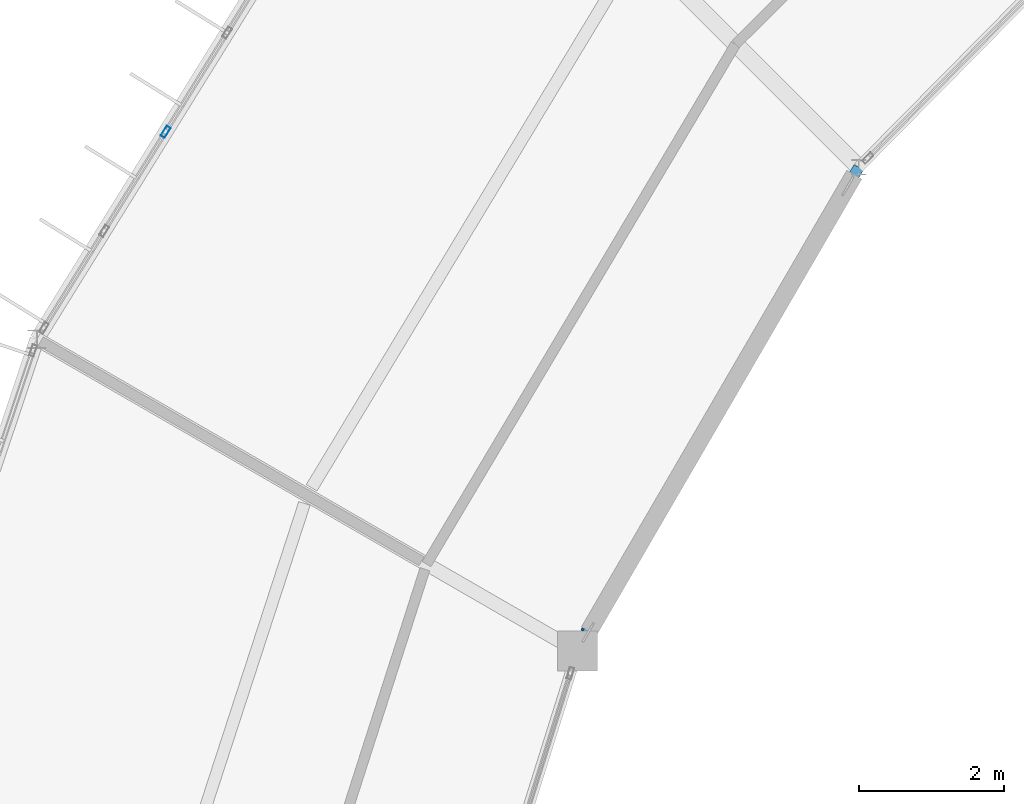
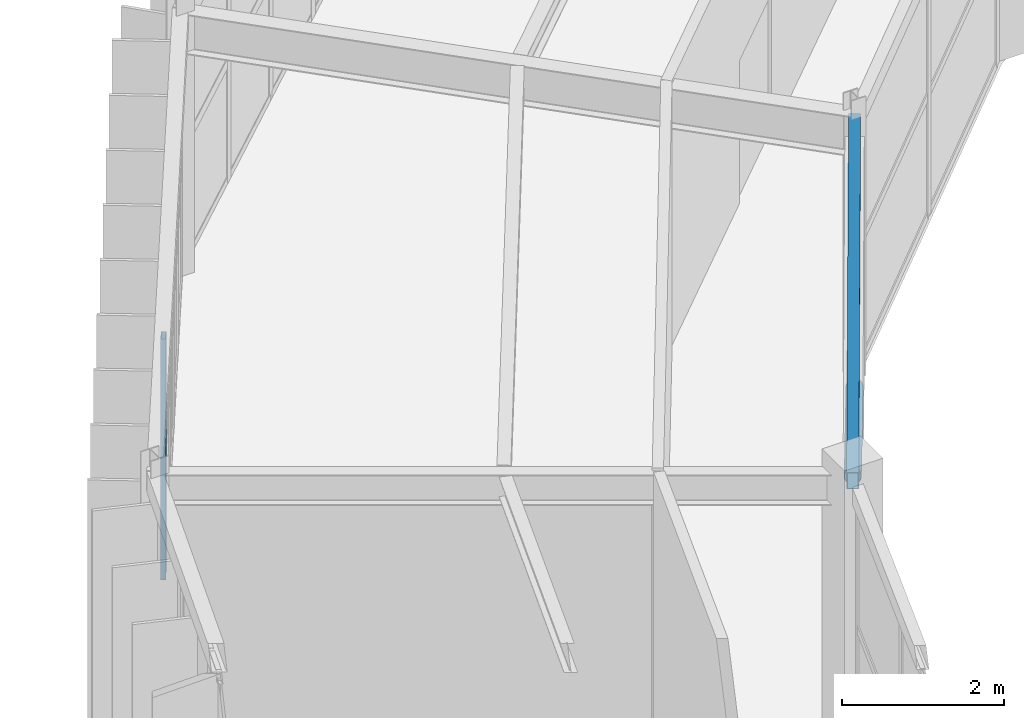
# One storey, part 85 of 157: 2 members, 1 beam, 1 element without a shape of its own.
"""IFC4 building model written with IfcOpenShell, lengths in metres."""

from ifc_helpers import new_model, si_unit, direction, frame, origin, origin_2d, place, context, subcontext, project, spatial, hollow_rectangle, hollow_circle, extrude, material, material_profile, profile_set, type_object, element, aggregate, save


model = new_model("IFC4")

# Units and contexts
model_context = context("Model", 3, precision=1e-05, world=origin(), true_north=direction((0.0, 1.0)))
body_context = subcontext(model_context, "Body", "Model", "MODEL_VIEW")
ifc_project = project(units=[si_unit("LENGTHUNIT", "METRE"), si_unit("AREAUNIT", "SQUARE_METRE"), si_unit("VOLUMEUNIT", "CUBIC_METRE"), si_unit("PLANEANGLEUNIT", "RADIAN"), si_unit("MASSUNIT", "GRAM", prefix="KILO")], contexts=[model_context])

# Site, building, storey
site_placement = place(None, origin())
site = spatial("IfcSite", under=ifc_project, at=site_placement, CompositionType="ELEMENT")
building_placement = place(site_placement, origin())
building = spatial("IfcBuilding", under=site, at=building_placement, Name="Karori Crest Natural Sciences Institute", CompositionType="ELEMENT")
storey_placement = place(building_placement, frame((0.0, 0.0, 13.300048828125)))
storey = spatial("IfcBuildingStorey", under=building, at=storey_placement, Name="L03", CompositionType="ELEMENT", Elevation=13.300048828125)

# Beam
ifc_material_1 = material(Name="Hollow structural steel AS/NZS 1163 Grade C350", Category="steel")
ifc_material_profile_1 = material_profile(ifc_material_1, hollow_rectangle(XDim=0.14990234375, YDim=0.25, WallThickness=0.009033203125, at=origin_2d()), Name="RHS250x150x9")
ifc_profile_set_1 = profile_set([ifc_material_profile_1], Name="Hollow structural steel AS/NZS 1163 Grade C350")
beam_type = type_object("IfcBeamType", Name="BT-16", PredefinedType="SPANDREL", material=ifc_profile_set_1)
beam_placement = place(storey_placement, frame((49.146484375, 72.668701171875, 3.7900390625), z_axis=(-0.502648511326, -0.864490875638, 0.0), x_axis=(0.864490875638, -0.502648511326, 0.0)))
element("IfcBeam", 1, at=beam_placement, inside=storey, type_object=beam_type, Name="Beam B-0396", PredefinedType="SPANDREL", context=body_context, shape_type="SweptSolid", body=[
    extrude(hollow_rectangle(XDim=0.14990234375, YDim=0.25, WallThickness=0.009033203125, at=origin_2d()), origin(), (0.0, 0.0, 1.0), 7.714111328125),
])

# Curtain wall, member
ifc_material_2 = material(Name="Anodised architectural aluminium 6063-T6", Category="aluminium")
curtain_wall_type = type_object("IfcCurtainWallType", Name="CWT-10", PredefinedType="NOTDEFINED", material=ifc_material_2)
curtain_wall_placement = place(storey_placement, origin())
curtain_wall = element("IfcCurtainWall", 2, at=curtain_wall_placement, inside=storey, type_object=curtain_wall_type, Name="Curtain wall CW-0114", PredefinedType="NOTDEFINED")
ifc_material_profile_2 = material_profile(ifc_material_2, hollow_rectangle(XDim=0.06494140625, YDim=0.159912109375, WallThickness=0.00390625, at=origin_2d()), Name="CWM160x65x4")
ifc_profile_set_2 = profile_set([ifc_material_profile_2], Name="Anodised architectural aluminium 6063-T6")
member_type_1 = type_object("IfcMemberType", Name="CWM-01", PredefinedType="MULLION", material=ifc_profile_set_2)
member_1_placement = place(storey_placement, frame((39.5947265625, 73.157470703125, 0.0), z_axis=(0.0, 0.0, 1.0), x_axis=(-0.849664350398, 0.527323896352, 0.0)))
member_1 = element("IfcMember", 3, at=member_1_placement, type_object=member_type_1, Name="CW-0114 mullion 3", PredefinedType="MULLION", context=body_context, shape_type="SweptSolid", body=[
    extrude(hollow_rectangle(XDim=0.06494140625, YDim=0.159912109375, WallThickness=0.00390625, at=origin_2d()), origin(), (0.0, 0.0, 1.0), 3.625),
])
aggregate(curtain_wall, [member_1])

# Member
ifc_material_profile_3 = material_profile(ifc_material_1, hollow_circle(Radius=0.109619140625, WallThickness=0.00830078125, at=origin_2d()), Name="CHS219.1x8.2")
ifc_profile_set_3 = profile_set([ifc_material_profile_3], Name="Hollow structural steel AS/NZS 1163 Grade C350")
member_type_2 = type_object("IfcMemberType", Name="MT-02", PredefinedType="BRACE", material=ifc_profile_set_3)
member_2_placement = place(storey_placement, frame((48.995849609375, 72.409423828125, 0.010009765625), z_axis=(-0.447479339143, -0.769608249631, 0.455483680432), x_axis=(0.864491234315, -0.502647894447, 0.0)))
element("IfcMember", 4, at=member_2_placement, inside=storey, type_object=member_type_2, Name="Diagonal Brace M-0018", PredefinedType="BRACE", context=body_context, shape_type="SweptSolid", body=[
    extrude(hollow_circle(Radius=0.109619140625, WallThickness=0.00830078125, at=origin_2d()), origin(), (0.0, 0.0, 1.0), 7.9912109375),
])

save(model, "model.ifc")
